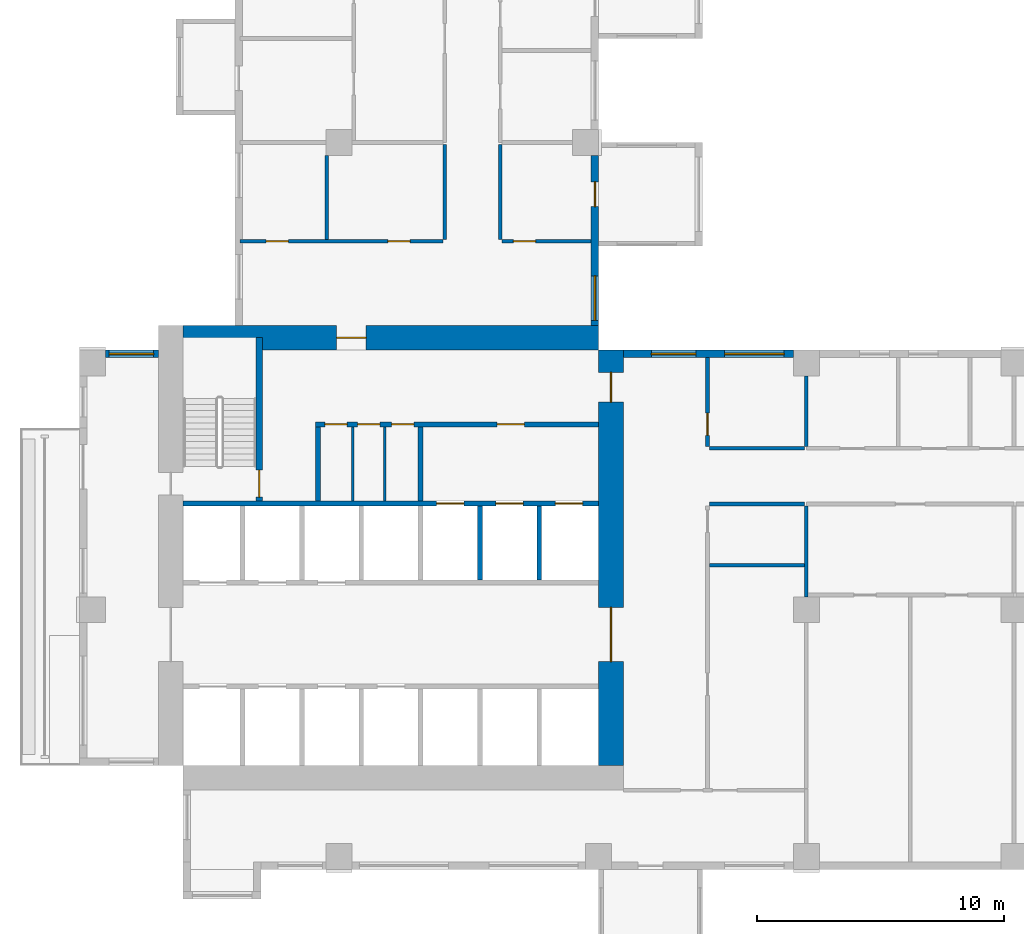
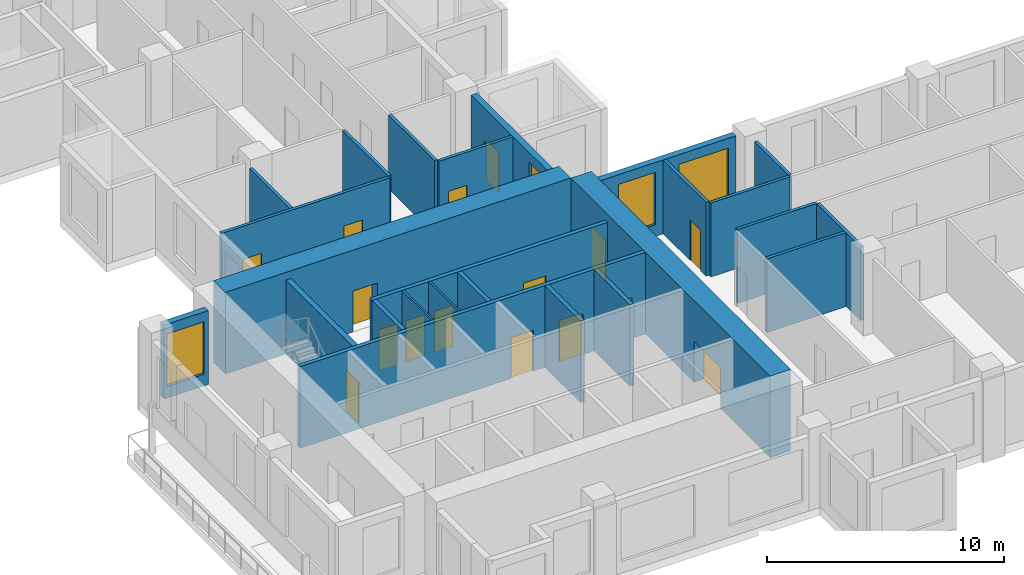
# One storey, part 3 of 14: 25 walls, 16 doors, 4 windows, 20 openings.
"""IFC4 building model written with IfcOpenShell, lengths in metres."""

from ifc_helpers import new_model, si_unit, direction, frame, frame_2d, origin, place, context, subcontext, project, spatial, rectangle, extrude, source, transform, mapped, material, layer, layer_set, type_object, element, fill, save


model = new_model("IFC4")

# Units and contexts
model_context = context("Model", 3, precision=1e-05, world=origin(), true_north=direction((0.0, 1.0)))
body_context = subcontext(model_context, "Body", "Model", "MODEL_VIEW")
ifc_project = project(units=[si_unit("LENGTHUNIT", "METRE"), si_unit("AREAUNIT", "SQUARE_METRE"), si_unit("VOLUMEUNIT", "CUBIC_METRE"), si_unit("PLANEANGLEUNIT", "RADIAN"), si_unit("MASSUNIT", "GRAM", prefix="KILO")], contexts=[model_context])

# Site, building, storey
site_placement = place(None, origin())
site = spatial("IfcSite", under=ifc_project, at=site_placement, CompositionType="ELEMENT")
building_placement = place(site_placement, origin())
building = spatial("IfcBuilding", under=site, at=building_placement, Name="Aurelian Terraces", CompositionType="ELEMENT")
storey_placement = place(building_placement, frame((0.0, 0.0, 111.9)))
storey = spatial("IfcBuildingStorey", under=building, at=storey_placement, Name="L24", CompositionType="ELEMENT", Elevation=111.9)

# Wall, openings, doors
ifc_material_1 = material(Name="Concrete fc' 83 MPa", Category="concrete")
ifc_layer_1 = layer(ifc_material_1, 1.0)
ifc_layer_set_1 = layer_set([ifc_layer_1], Name="CORE WALL 1000 FC83")
wall_type_1 = type_object("IfcWallType", Name="CORE WALL 1000 FC83", PredefinedType="SHEAR", material=ifc_layer_set_1)
shared_shape_1 = source(origin(), body_context, "Body", "SweptSolid", [
    extrude(rectangle(XDim=16.8, YDim=1.0, at=frame_2d((8.4, 0.0))), origin(), (0.0, 0.0, 1.0), 4.2),
])
wall_1_placement = place(storey_placement, frame((21.5, 4.2, 0.0), z_axis=(0.0, 0.0, 1.0), x_axis=(0.0, 1.0, 0.0)))
wall_1 = element("IfcWall", 1, at=wall_1_placement, inside=storey, type_object=wall_type_1, Name="Core wall E L24", PredefinedType="SHEAR", context=body_context, shape_type="MappedRepresentation", body=[
    mapped(shared_shape_1, transform((0.0, 0.0, 0.0), scale=1.0)),
])
shared_shape_2 = source(origin(), body_context, "Body", "SweptSolid", [
    extrude(rectangle(XDim=2.2, YDim=2.1, at=frame_2d((1.1, 1.05))), frame((0.0, 0.51, 0.0), z_axis=(0.0, -1.0, 0.0), x_axis=(1.0, 0.0, 0.0)), (0.0, 0.0, 1.0), 1.02),
])
opening_1_placement = place(wall_1_placement, frame((4.2, 0.0, 0.0)))
opening_1 = element("IfcOpeningElement", 2, at=opening_1_placement, cuts=wall_1, Name="Opening 62721", PredefinedType="OPENING", context=body_context, shape_type="MappedRepresentation", body=[
    mapped(shared_shape_2, transform((0.0, 0.0, 0.0), scale=1.0)),
])
shared_shape_3 = source(origin(), body_context, "Body", "SweptSolid", [
    extrude(rectangle(XDim=1.2, YDim=2.1, at=frame_2d((0.6, 1.05))), frame((0.0, 0.51, 0.0), z_axis=(0.0, -1.0, 0.0), x_axis=(1.0, 0.0, 0.0)), (0.0, 0.0, 1.0), 1.02),
])
opening_2_placement = place(wall_1_placement, frame((14.7, 0.0, 0.0)))
opening_2 = element("IfcOpeningElement", 3, at=opening_2_placement, cuts=wall_1, Name="Opening 62724", PredefinedType="OPENING", context=body_context, shape_type="MappedRepresentation", body=[
    mapped(shared_shape_3, transform((0.0, 0.0, 0.0), scale=1.0)),
])
ifc_material_2 = material(Name="Steel door leaf", Category="steel")
door_type_1 = type_object("IfcDoorType", Name="Core fire door 1200x2100", OperationType="SINGLE_SWING_LEFT", PredefinedType="DOOR", material=ifc_material_2)
shared_shape_4 = source(origin(), body_context, "Body", "SweptSolid", [
    extrude(rectangle(XDim=1.2, YDim=2.1, at=frame_2d((0.6, 1.05))), frame((0.0, 0.025, 0.0), z_axis=(0.0, -1.0, 0.0), x_axis=(1.0, 0.0, 0.0)), (0.0, 0.0, 1.0), 0.05),
])
door_1_placement = place(opening_2_placement, origin())
door_1 = element("IfcDoor", 4, at=door_1_placement, inside=storey, type_object=door_type_1, Name="Core door 62724", OperationType="SINGLE_SWING_LEFT", OverallHeight=2.1, OverallWidth=1.2, PredefinedType="DOOR", context=body_context, shape_type="MappedRepresentation", body=[
    mapped(shared_shape_4, transform((0.0, 0.0, 0.0), scale=1.0)),
])
fill(opening_2, door_1)
door_type_2 = type_object("IfcDoorType", Name="Core double door 2200x2100", OperationType="DOUBLE_DOOR_SINGLE_SWING", PredefinedType="DOOR", material=ifc_material_2)
shared_shape_5 = source(origin(), body_context, "Body", "SweptSolid", [
    extrude(rectangle(XDim=2.2, YDim=2.1, at=frame_2d((1.1, 1.05))), frame((0.0, 0.025, 0.0), z_axis=(0.0, -1.0, 0.0), x_axis=(1.0, 0.0, 0.0)), (0.0, 0.0, 1.0), 0.05),
])
door_2_placement = place(opening_1_placement, origin())
door_2 = element("IfcDoor", 5, at=door_2_placement, inside=storey, type_object=door_type_2, Name="Core door 62721", OperationType="DOUBLE_DOOR_SINGLE_SWING", OverallHeight=2.1, OverallWidth=2.2, PredefinedType="DOOR", context=body_context, shape_type="MappedRepresentation", body=[
    mapped(shared_shape_5, transform((0.0, 0.0, 0.0), scale=1.0)),
])
fill(opening_1, door_2)

# Wall, opening, door
wall_2_placement = place(storey_placement, frame((4.2, 21.5, 0.0), z_axis=(0.0, 0.0, 1.0), x_axis=(1.0, 0.0, 0.0)))
wall_2 = element("IfcWall", 6, at=wall_2_placement, inside=storey, type_object=wall_type_1, Name="Core wall N L24", PredefinedType="SHEAR", context=body_context, shape_type="MappedRepresentation", body=[
    mapped(shared_shape_1, transform((0.0, 0.0, 0.0), scale=1.0)),
])
opening_3_placement = place(wall_2_placement, frame((6.2, 0.0, 0.0)))
opening_3 = element("IfcOpeningElement", 7, at=opening_3_placement, cuts=wall_2, Name="Opening 62723", PredefinedType="OPENING", context=body_context, shape_type="MappedRepresentation", body=[
    mapped(shared_shape_3, transform((0.0, 0.0, 0.0), scale=1.0)),
])
door_type_3 = type_object("IfcDoorType", Name="Core fire door 1200x2100 right", OperationType="SINGLE_SWING_RIGHT", PredefinedType="DOOR", material=ifc_material_2)
door_3_placement = place(opening_3_placement, origin())
door_3 = element("IfcDoor", 8, at=door_3_placement, inside=storey, type_object=door_type_3, Name="Core door 62723", OperationType="SINGLE_SWING_RIGHT", OverallHeight=2.1, OverallWidth=1.2, PredefinedType="DOOR", context=body_context, shape_type="MappedRepresentation", body=[
    mapped(shared_shape_4, transform((0.0, 0.0, 0.0), scale=1.0)),
])
fill(opening_3, door_3)

# Wall, openings, windows
ifc_material_3 = material(Name="Terracotta rainscreen cladding", Category="masonry")
ifc_layer_2 = layer(ifc_material_3, 0.3)
ifc_layer_set_2 = layer_set([ifc_layer_2], Name="EW-300")
wall_type_2 = type_object("IfcWallType", Name="EW-300", PredefinedType="STANDARD", material=ifc_layer_set_2)
shared_shape_6 = source(origin(), body_context, "Body", "SweptSolid", [
    extrude(rectangle(XDim=6.875, YDim=0.3, at=frame_2d((3.4375, 0.0))), origin(), (0.0, 0.0, 1.0), 3.8),
])
wall_3_placement = place(storey_placement, frame((28.875, 20.85, 0.0), z_axis=(0.0, 0.0, 1.0), x_axis=(-1.0, 0.0, 0.0)))
wall_3 = element("IfcWall", 9, at=wall_3_placement, inside=storey, type_object=wall_type_2, Name="External wall L24 F07.20", PredefinedType="STANDARD", context=body_context, shape_type="MappedRepresentation", body=[
    mapped(shared_shape_6, transform((0.0, 0.0, 0.0), scale=1.0)),
])
shared_shape_7 = source(origin(), body_context, "Body", "SweptSolid", [
    extrude(rectangle(XDim=2.4, YDim=2.7, at=frame_2d((1.2, 1.35))), frame((0.0, 0.16, 0.0), z_axis=(0.0, -1.0, 0.0), x_axis=(1.0, 0.0, 0.0)), (0.0, 0.0, 1.0), 0.32),
])
opening_4_placement = place(wall_3_placement, frame((0.375, 0.0, 0.6)))
opening_4 = element("IfcOpeningElement", 10, at=opening_4_placement, cuts=wall_3, Name="Opening W2427", PredefinedType="OPENING", context=body_context, shape_type="MappedRepresentation", body=[
    mapped(shared_shape_7, transform((0.0, 0.0, 0.0), scale=1.0)),
])
shared_shape_8 = source(origin(), body_context, "Body", "SweptSolid", [
    extrude(rectangle(XDim=1.8, YDim=2.7, at=frame_2d((0.9, 1.35))), frame((0.0, 0.16, 0.0), z_axis=(0.0, -1.0, 0.0), x_axis=(1.0, 0.0, 0.0)), (0.0, 0.0, 1.0), 0.32),
])
opening_5_placement = place(wall_3_placement, frame((3.9375, 0.0, 0.6)))
opening_5 = element("IfcOpeningElement", 11, at=opening_5_placement, cuts=wall_3, Name="Opening W1827", PredefinedType="OPENING", context=body_context, shape_type="MappedRepresentation", body=[
    mapped(shared_shape_8, transform((0.0, 0.0, 0.0), scale=1.0)),
])
ifc_material_4 = material(Name="Clear glazing", Category="glass")
window_type_1 = type_object("IfcWindowType", Name="W-2400x2700", PartitioningType="SINGLE_PANEL", PredefinedType="WINDOW", material=ifc_material_4)
shared_shape_9 = source(origin(), body_context, "Body", "SweptSolid", [
    extrude(rectangle(XDim=2.4, YDim=2.7, at=frame_2d((1.2, 1.35))), frame((0.0, 0.03, 0.0), z_axis=(0.0, -1.0, 0.0), x_axis=(1.0, 0.0, 0.0)), (0.0, 0.0, 1.0), 0.06),
])
window_1_placement = place(opening_4_placement, origin())
window_1 = element("IfcWindow", 12, at=window_1_placement, inside=storey, type_object=window_type_1, Name="Window L24 L24-F07-20-3", OverallHeight=2.7, OverallWidth=2.4, PartitioningType="SINGLE_PANEL", PredefinedType="WINDOW", context=body_context, shape_type="MappedRepresentation", body=[
    mapped(shared_shape_9, transform((0.0, 0.0, 0.0), scale=1.0)),
])
fill(opening_4, window_1)
window_type_2 = type_object("IfcWindowType", Name="W-1800x2700", PartitioningType="SINGLE_PANEL", PredefinedType="WINDOW", material=ifc_material_4)
shared_shape_10 = source(origin(), body_context, "Body", "SweptSolid", [
    extrude(rectangle(XDim=1.8, YDim=2.7, at=frame_2d((0.9, 1.35))), frame((0.0, 0.03, 0.0), z_axis=(0.0, -1.0, 0.0), x_axis=(1.0, 0.0, 0.0)), (0.0, 0.0, 1.0), 0.06),
])
window_2_placement = place(opening_5_placement, origin())
window_2 = element("IfcWindow", 13, at=window_2_placement, inside=storey, type_object=window_type_2, Name="Window L24 L24-F07-20-G2-201", OverallHeight=2.7, OverallWidth=1.8, PartitioningType="SINGLE_PANEL", PredefinedType="WINDOW", context=body_context, shape_type="MappedRepresentation", body=[
    mapped(shared_shape_10, transform((0.0, 0.0, 0.0), scale=1.0)),
])
fill(opening_5, window_2)

# Wall, openings, window, door
wall_4_placement = place(storey_placement, frame((20.85, 22.0, 0.0), z_axis=(0.0, 0.0, 1.0), x_axis=(0.0, 1.0, 0.0)))
wall_4 = element("IfcWall", 14, at=wall_4_placement, inside=storey, type_object=wall_type_2, Name="External wall L24 F08.21", PredefinedType="STANDARD", context=body_context, shape_type="MappedRepresentation", body=[
    mapped(shared_shape_6, transform((0.0, 0.0, 0.0), scale=1.0)),
])
opening_6_placement = place(wall_4_placement, frame((0.2, 0.0, 0.6)))
opening_6 = element("IfcOpeningElement", 15, at=opening_6_placement, cuts=wall_4, Name="Opening W1827", PredefinedType="OPENING", context=body_context, shape_type="MappedRepresentation", body=[
    mapped(shared_shape_8, transform((0.0, 0.0, 0.0), scale=1.0)),
])
shared_shape_11 = source(origin(), body_context, "Body", "SweptSolid", [
    extrude(rectangle(XDim=1.0, YDim=2.1, at=frame_2d((0.5, 1.05))), frame((0.0, 0.16, 0.0), z_axis=(0.0, -1.0, 0.0), x_axis=(1.0, 0.0, 0.0)), (0.0, 0.0, 1.0), 0.32),
])
opening_7_placement = place(wall_4_placement, frame((4.8, 0.0, 0.0)))
opening_7 = element("IfcOpeningElement", 16, at=opening_7_placement, cuts=wall_4, Name="Opening 824002", PredefinedType="OPENING", context=body_context, shape_type="MappedRepresentation", body=[
    mapped(shared_shape_11, transform((0.0, 0.0, 0.0), scale=1.0)),
])
window_3_placement = place(opening_6_placement, origin())
window_3 = element("IfcWindow", 17, at=window_3_placement, inside=storey, type_object=window_type_2, Name="Window L24 L24-F08-21-0", OverallHeight=2.7, OverallWidth=1.8, PartitioningType="SINGLE_PANEL", PredefinedType="WINDOW", context=body_context, shape_type="MappedRepresentation", body=[
    mapped(shared_shape_10, transform((0.0, 0.0, 0.0), scale=1.0)),
])
fill(opening_6, window_3)
ifc_material_5 = material(Name="Timber door leaf", Category="wood")
door_type_4 = type_object("IfcDoorType", Name="Room door 1000x2100 left", OperationType="SINGLE_SWING_LEFT", PredefinedType="DOOR", material=ifc_material_5)
shared_shape_12 = source(origin(), body_context, "Body", "SweptSolid", [
    extrude(rectangle(XDim=1.0, YDim=2.1, at=frame_2d((0.5, 1.05))), frame((0.0, 0.025, 0.0), z_axis=(0.0, -1.0, 0.0), x_axis=(1.0, 0.0, 0.0)), (0.0, 0.0, 1.0), 0.05),
])
door_4_placement = place(opening_7_placement, origin())
door_4 = element("IfcDoor", 18, at=door_4_placement, inside=storey, type_object=door_type_4, Name="Door 824002", OperationType="SINGLE_SWING_LEFT", OverallHeight=2.1, OverallWidth=1.0, PredefinedType="DOOR", context=body_context, shape_type="MappedRepresentation", body=[
    mapped(shared_shape_12, transform((0.0, 0.0, 0.0), scale=1.0)),
])
fill(opening_7, door_4)

# Wall, opening, window
shared_shape_13 = source(origin(), body_context, "Body", "SweptSolid", [
    extrude(rectangle(XDim=2.15, YDim=0.3, at=frame_2d((1.075, 0.0))), origin(), (0.0, 0.0, 1.0), 3.8),
])
wall_5_placement = place(storey_placement, frame((3.2, 20.85, 0.0), z_axis=(0.0, 0.0, 1.0), x_axis=(-1.0, 0.0, 0.0)))
wall_5 = element("IfcWall", 19, at=wall_5_placement, inside=storey, type_object=wall_type_2, Name="External wall L24 F19.36", PredefinedType="STANDARD", context=body_context, shape_type="MappedRepresentation", body=[
    mapped(shared_shape_13, transform((0.0, 0.0, 0.0), scale=1.0)),
])
opening_8_placement = place(wall_5_placement, frame((0.2, 0.0, 0.6)))
opening_8 = element("IfcOpeningElement", 20, at=opening_8_placement, cuts=wall_5, Name="Opening W1827", PredefinedType="OPENING", context=body_context, shape_type="MappedRepresentation", body=[
    mapped(shared_shape_8, transform((0.0, 0.0, 0.0), scale=1.0)),
])
window_4_placement = place(opening_8_placement, origin())
window_4 = element("IfcWindow", 21, at=window_4_placement, inside=storey, type_object=window_type_2, Name="Window L24 L24-F19-36-0", OverallHeight=2.7, OverallWidth=1.8, PartitioningType="SINGLE_PANEL", PredefinedType="WINDOW", context=body_context, shape_type="MappedRepresentation", body=[
    mapped(shared_shape_10, transform((0.0, 0.0, 0.0), scale=1.0)),
])
fill(opening_8, window_4)

# Walls
ifc_material_6 = material(Name="Concrete fc' 40 MPa", Category="concrete")
ifc_layer_3 = layer(ifc_material_6, 0.2)
ifc_layer_set_3 = layer_set([ifc_layer_3], Name="Lift shaft wall 200")
wall_type_3 = type_object("IfcWallType", Name="Lift shaft wall 200", PredefinedType="SOLIDWALL", material=ifc_layer_set_3)
shared_shape_14 = source(origin(), body_context, "Body", "SweptSolid", [
    extrude(rectangle(XDim=3.0, YDim=0.2, at=frame_2d((1.5, 0.0))), origin(), (0.0, 0.0, 1.0), 4.2),
])
for number, where, z_axis, x_axis, name in (
    (22, (16.2, 11.7, 0.0), (0.0, 0.0, 1.0), (0.0, 1.0, 0.0), "L24 core wall CD-B5"),
    (23, (18.6, 11.7, 0.0), (0.0, 0.0, 1.0), (0.0, 1.0, 0.0), "L24 core wall CD-B6"),
):
    element("IfcWall", number, at=place(storey_placement, frame(where, z_axis=z_axis, x_axis=x_axis)), inside=storey, type_object=wall_type_3, Name=name, PredefinedType="SOLIDWALL", context=body_context, shape_type="MappedRepresentation", body=[
        mapped(shared_shape_14, transform((0.0, 0.0, 0.0), scale=1.0)),
    ])

# Wall, openings, doors
shared_shape_15 = source(origin(), body_context, "Body", "SweptSolid", [
    extrude(rectangle(XDim=16.8, YDim=0.2, at=frame_2d((8.4, 0.0))), origin(), (0.0, 0.0, 1.0), 4.2),
])
wall_6_placement = place(storey_placement, frame((4.2, 14.8, 0.0), z_axis=(0.0, 0.0, 1.0), x_axis=(1.0, 0.0, 0.0)))
wall_6 = element("IfcWall", 24, at=wall_6_placement, inside=storey, type_object=wall_type_3, Name="L24 core wall CF-BB1", PredefinedType="SOLIDWALL", context=body_context, shape_type="MappedRepresentation", body=[
    mapped(shared_shape_15, transform((0.0, 0.0, 0.0), scale=1.0)),
])
shared_shape_16 = source(origin(), body_context, "Body", "SweptSolid", [
    extrude(rectangle(XDim=1.1, YDim=2.1, at=frame_2d((0.55, 1.05))), frame((0.0, 0.11, 0.0), z_axis=(0.0, -1.0, 0.0), x_axis=(1.0, 0.0, 0.0)), (0.0, 0.0, 1.0), 0.22),
])
opening_9_placement = place(wall_6_placement, frame((10.25, 0.0, 0.0)))
opening_9 = element("IfcOpeningElement", 25, at=opening_9_placement, cuts=wall_6, Name="Opening 62707", PredefinedType="OPENING", context=body_context, shape_type="MappedRepresentation", body=[
    mapped(shared_shape_16, transform((0.0, 0.0, 0.0), scale=1.0)),
])
opening_10_placement = place(wall_6_placement, frame((12.65, 0.0, 0.0)))
opening_10 = element("IfcOpeningElement", 26, at=opening_10_placement, cuts=wall_6, Name="Opening 62708", PredefinedType="OPENING", context=body_context, shape_type="MappedRepresentation", body=[
    mapped(shared_shape_16, transform((0.0, 0.0, 0.0), scale=1.0)),
])
opening_11_placement = place(wall_6_placement, frame((15.05, 0.0, 0.0)))
opening_11 = element("IfcOpeningElement", 27, at=opening_11_placement, cuts=wall_6, Name="Opening 62709", PredefinedType="OPENING", context=body_context, shape_type="MappedRepresentation", body=[
    mapped(shared_shape_16, transform((0.0, 0.0, 0.0), scale=1.0)),
])
ifc_material_7 = material(Name="Stainless steel", Category="steel")
door_type_5 = type_object("IfcDoorType", Name="Lift landing door 1100x2100", OperationType="SLIDING_TO_LEFT", PredefinedType="DOOR", material=ifc_material_7)
shared_shape_17 = source(origin(), body_context, "Body", "SweptSolid", [
    extrude(rectangle(XDim=1.1, YDim=2.1, at=frame_2d((0.55, 1.05))), frame((0.0, 0.025, 0.0), z_axis=(0.0, -1.0, 0.0), x_axis=(1.0, 0.0, 0.0)), (0.0, 0.0, 1.0), 0.05),
])
door_5_placement = place(opening_9_placement, origin())
door_5 = element("IfcDoor", 28, at=door_5_placement, inside=storey, type_object=door_type_5, Name="Lift landing door F1 L24", OperationType="SLIDING_TO_LEFT", OverallHeight=2.1, OverallWidth=1.1, PredefinedType="DOOR", context=body_context, shape_type="MappedRepresentation", body=[
    mapped(shared_shape_17, transform((0.0, 0.0, 0.0), scale=1.0)),
])
fill(opening_9, door_5)
door_6_placement = place(opening_10_placement, origin())
door_6 = element("IfcDoor", 29, at=door_6_placement, inside=storey, type_object=door_type_5, Name="Lift landing door F2 L24", OperationType="SLIDING_TO_LEFT", OverallHeight=2.1, OverallWidth=1.1, PredefinedType="DOOR", context=body_context, shape_type="MappedRepresentation", body=[
    mapped(shared_shape_17, transform((0.0, 0.0, 0.0), scale=1.0)),
])
fill(opening_10, door_6)
door_7_placement = place(opening_11_placement, origin())
door_7 = element("IfcDoor", 30, at=door_7_placement, inside=storey, type_object=door_type_5, Name="Lift landing door F3 L24", OperationType="SLIDING_TO_LEFT", OverallHeight=2.1, OverallWidth=1.1, PredefinedType="DOOR", context=body_context, shape_type="MappedRepresentation", body=[
    mapped(shared_shape_17, transform((0.0, 0.0, 0.0), scale=1.0)),
])
fill(opening_11, door_7)

# Walls
ifc_material_8 = material(Name="Gypsum board on steel studs", Category="steel")
ifc_layer_4 = layer(ifc_material_8, 0.2)
ifc_layer_set_4 = layer_set([ifc_layer_4], Name="Core partition 200")
wall_type_4 = type_object("IfcWallType", Name="Core partition 200", PredefinedType="PARTITIONING", material=ifc_layer_set_4)
shared_shape_18 = source(origin(), body_context, "Body", "SweptSolid", [
    extrude(rectangle(XDim=3.0, YDim=0.2, at=frame_2d((1.5, 0.0))), origin(), (0.0, 0.0, 1.0), 3.8),
])
for number, where, z_axis, x_axis, name in (
    (31, (9.65, 14.9, 0.0), (0.0, 0.0, 1.0), (0.0, 1.0, 0.0), "L24 core wall CP-VEST"),
    (32, (13.8, 14.9, 0.0), (0.0, 0.0, 1.0), (0.0, 1.0, 0.0), "L24 core wall CP-FFL"),
):
    element("IfcWall", number, at=place(storey_placement, frame(where, z_axis=z_axis, x_axis=x_axis)), inside=storey, type_object=wall_type_4, Name=name, PredefinedType="PARTITIONING", context=body_context, shape_type="MappedRepresentation", body=[
        mapped(shared_shape_18, transform((0.0, 0.0, 0.0), scale=1.0)),
    ])
ifc_layer_5 = layer(ifc_material_8, 0.1)
ifc_layer_set_5 = layer_set([ifc_layer_5], Name="Core partition 100")
wall_type_5 = type_object("IfcWallType", Name="Core partition 100", PredefinedType="PARTITIONING", material=ifc_layer_set_5)
shared_shape_19 = source(origin(), body_context, "Body", "SweptSolid", [
    extrude(rectangle(XDim=3.0, YDim=0.1, at=frame_2d((1.5, 0.0))), origin(), (0.0, 0.0, 1.0), 3.8),
])
for number, where, z_axis, x_axis, name in (
    (33, (11.05, 14.9, 0.0), (0.0, 0.0, 1.0), (0.0, 1.0, 0.0), "L24 core wall CP-SV1"),
    (34, (12.35, 14.9, 0.0), (0.0, 0.0, 1.0), (0.0, 1.0, 0.0), "L24 core wall CP-SV2"),
):
    element("IfcWall", number, at=place(storey_placement, frame(where, z_axis=z_axis, x_axis=x_axis)), inside=storey, type_object=wall_type_5, Name=name, PredefinedType="PARTITIONING", context=body_context, shape_type="MappedRepresentation", body=[
        mapped(shared_shape_19, transform((0.0, 0.0, 0.0), scale=1.0)),
    ])

# Wall, opening, door
ifc_layer_6 = layer(ifc_material_6, 0.25)
ifc_layer_set_6 = layer_set([ifc_layer_6], Name="Stair enclosure wall 250")
wall_type_6 = type_object("IfcWallType", Name="Stair enclosure wall 250", PredefinedType="SOLIDWALL", material=ifc_layer_set_6)
shared_shape_20 = source(origin(), body_context, "Body", "SweptSolid", [
    extrude(rectangle(XDim=6.6, YDim=0.25, at=frame_2d((3.3, 0.0))), origin(), (0.0, 0.0, 1.0), 3.8),
])
wall_7_placement = place(storey_placement, frame((7.275, 14.9, 0.0), z_axis=(0.0, 0.0, 1.0), x_axis=(0.0, 1.0, 0.0)))
wall_7 = element("IfcWall", 35, at=wall_7_placement, inside=storey, type_object=wall_type_6, Name="L24 core wall ST-S1-E", PredefinedType="SOLIDWALL", context=body_context, shape_type="MappedRepresentation", body=[
    mapped(shared_shape_20, transform((0.0, 0.0, 0.0), scale=1.0)),
])
shared_shape_21 = source(origin(), body_context, "Body", "SweptSolid", [
    extrude(rectangle(XDim=1.1, YDim=2.1, at=frame_2d((0.55, 1.05))), frame((0.0, 0.135, 0.0), z_axis=(0.0, -1.0, 0.0), x_axis=(1.0, 0.0, 0.0)), (0.0, 0.0, 1.0), 0.27),
])
opening_12_placement = place(wall_7_placement, frame((0.15, 0.0, 0.0)))
opening_12 = element("IfcOpeningElement", 36, at=opening_12_placement, cuts=wall_7, Name="Opening 62710", PredefinedType="OPENING", context=body_context, shape_type="MappedRepresentation", body=[
    mapped(shared_shape_21, transform((0.0, 0.0, 0.0), scale=1.0)),
])
door_type_6 = type_object("IfcDoorType", Name="Core fire door 1100x2100 right", OperationType="SINGLE_SWING_RIGHT", PredefinedType="DOOR", material=ifc_material_2)
door_8_placement = place(opening_12_placement, origin())
door_8 = element("IfcDoor", 37, at=door_8_placement, inside=storey, type_object=door_type_6, Name="Stair door 62710", OperationType="SINGLE_SWING_RIGHT", OverallHeight=2.1, OverallWidth=1.1, PredefinedType="DOOR", context=body_context, shape_type="MappedRepresentation", body=[
    mapped(shared_shape_17, transform((0.0, 0.0, 0.0), scale=1.0)),
])
fill(opening_12, door_8)

# Wall, openings, doors
shared_shape_22 = source(origin(), body_context, "Body", "SweptSolid", [
    extrude(rectangle(XDim=11.45, YDim=0.2, at=frame_2d((5.725, 0.0))), origin(), (0.0, 0.0, 1.0), 3.8),
])
wall_8_placement = place(storey_placement, frame((9.55, 18.0, 0.0), z_axis=(0.0, 0.0, 1.0), x_axis=(1.0, 0.0, 0.0)))
wall_8 = element("IfcWall", 38, at=wall_8_placement, inside=storey, type_object=wall_type_4, Name="L24 core wall CP-NORTH", PredefinedType="PARTITIONING", context=body_context, shape_type="MappedRepresentation", body=[
    mapped(shared_shape_22, transform((0.0, 0.0, 0.0), scale=1.0)),
])
shared_shape_23 = source(origin(), body_context, "Body", "SweptSolid", [
    extrude(rectangle(XDim=0.9, YDim=2.1, at=frame_2d((0.45, 1.05))), frame((0.0, 0.11, 0.0), z_axis=(0.0, -1.0, 0.0), x_axis=(1.0, 0.0, 0.0)), (0.0, 0.0, 1.0), 0.22),
])
opening_13_placement = place(wall_8_placement, frame((0.375, 0.0, 0.0)))
opening_13 = element("IfcOpeningElement", 39, at=opening_13_placement, cuts=wall_8, Name="Opening 62711", PredefinedType="OPENING", context=body_context, shape_type="MappedRepresentation", body=[
    mapped(shared_shape_23, transform((0.0, 0.0, 0.0), scale=1.0)),
])
opening_14_placement = place(wall_8_placement, frame((1.7, 0.0, 0.0)))
opening_14 = element("IfcOpeningElement", 40, at=opening_14_placement, cuts=wall_8, Name="Opening 62712", PredefinedType="OPENING", context=body_context, shape_type="MappedRepresentation", body=[
    mapped(shared_shape_23, transform((0.0, 0.0, 0.0), scale=1.0)),
])
opening_15_placement = place(wall_8_placement, frame((3.075, 0.0, 0.0)))
opening_15 = element("IfcOpeningElement", 41, at=opening_15_placement, cuts=wall_8, Name="Opening 62713", PredefinedType="OPENING", context=body_context, shape_type="MappedRepresentation", body=[
    mapped(shared_shape_23, transform((0.0, 0.0, 0.0), scale=1.0)),
])
opening_16_placement = place(wall_8_placement, frame((7.35, 0.0, 0.0)))
opening_16 = element("IfcOpeningElement", 42, at=opening_16_placement, cuts=wall_8, Name="Opening 62714", PredefinedType="OPENING", context=body_context, shape_type="MappedRepresentation", body=[
    mapped(shared_shape_16, transform((0.0, 0.0, 0.0), scale=1.0)),
])
door_type_7 = type_object("IfcDoorType", Name="Core riser door 900x2100", OperationType="SINGLE_SWING_LEFT", PredefinedType="DOOR", material=ifc_material_2)
shared_shape_24 = source(origin(), body_context, "Body", "SweptSolid", [
    extrude(rectangle(XDim=0.9, YDim=2.1, at=frame_2d((0.45, 1.05))), frame((0.0, 0.025, 0.0), z_axis=(0.0, -1.0, 0.0), x_axis=(1.0, 0.0, 0.0)), (0.0, 0.0, 1.0), 0.05),
])
door_9_placement = place(opening_13_placement, origin())
door_9 = element("IfcDoor", 43, at=door_9_placement, inside=storey, type_object=door_type_7, Name="Room door 62711", OperationType="SINGLE_SWING_LEFT", OverallHeight=2.1, OverallWidth=0.9, PredefinedType="DOOR", context=body_context, shape_type="MappedRepresentation", body=[
    mapped(shared_shape_24, transform((0.0, 0.0, 0.0), scale=1.0)),
])
fill(opening_13, door_9)
door_type_8 = type_object("IfcDoorType", Name="Core service door 900x2100 right", OperationType="SINGLE_SWING_RIGHT", PredefinedType="DOOR", material=ifc_material_2)
door_10_placement = place(opening_14_placement, origin())
door_10 = element("IfcDoor", 44, at=door_10_placement, inside=storey, type_object=door_type_8, Name="Room door 62712", OperationType="SINGLE_SWING_RIGHT", OverallHeight=2.1, OverallWidth=0.9, PredefinedType="DOOR", context=body_context, shape_type="MappedRepresentation", body=[
    mapped(shared_shape_24, transform((0.0, 0.0, 0.0), scale=1.0)),
])
fill(opening_14, door_10)
door_type_9 = type_object("IfcDoorType", Name="Core service door 900x2100", OperationType="SINGLE_SWING_LEFT", PredefinedType="DOOR", material=ifc_material_2)
door_11_placement = place(opening_15_placement, origin())
door_11 = element("IfcDoor", 45, at=door_11_placement, inside=storey, type_object=door_type_9, Name="Room door 62713", OperationType="SINGLE_SWING_LEFT", OverallHeight=2.1, OverallWidth=0.9, PredefinedType="DOOR", context=body_context, shape_type="MappedRepresentation", body=[
    mapped(shared_shape_24, transform((0.0, 0.0, 0.0), scale=1.0)),
])
fill(opening_15, door_11)
door_12_placement = place(opening_16_placement, origin())
door_12 = element("IfcDoor", 46, at=door_12_placement, inside=storey, type_object=door_type_6, Name="Ff lobby door 62714", OperationType="SINGLE_SWING_RIGHT", OverallHeight=2.1, OverallWidth=1.1, PredefinedType="DOOR", context=body_context, shape_type="MappedRepresentation", body=[
    mapped(shared_shape_17, transform((0.0, 0.0, 0.0), scale=1.0)),
])
fill(opening_16, door_12)

# Wall, opening, door
ifc_layer_7 = layer(ifc_material_8, 0.15)
ifc_layer_set_7 = layer_set([ifc_layer_7], Name="Partition 150")
wall_type_7 = type_object("IfcWallType", Name="Partition 150", PredefinedType="PARTITIONING", material=ifc_layer_set_7)
shared_shape_25 = source(origin(), body_context, "Body", "SweptSolid", [
    extrude(rectangle(XDim=3.6, YDim=0.15, at=frame_2d((1.8, 0.0))), origin(), (0.0, 0.0, 1.0), 3.8),
])
wall_9_placement = place(storey_placement, frame((25.4, 20.7, 0.0), z_axis=(0.0, 0.0, 1.0), x_axis=(0.0, -1.0, 0.0)))
wall_9 = element("IfcWall", 47, at=wall_9_placement, inside=storey, type_object=wall_type_7, Name="Partition", PredefinedType="PARTITIONING", context=body_context, shape_type="MappedRepresentation", body=[
    mapped(shared_shape_25, transform((0.0, 0.0, 0.0), scale=1.0)),
])
shared_shape_26 = source(origin(), body_context, "Body", "SweptSolid", [
    extrude(rectangle(XDim=0.9, YDim=2.1, at=frame_2d((0.45, 1.05))), frame((0.0, 0.085, 0.0), z_axis=(0.0, -1.0, 0.0), x_axis=(1.0, 0.0, 0.0)), (0.0, 0.0, 1.0), 0.17),
])
opening_17_placement = place(wall_9_placement, frame((2.25, 0.0, 0.0)))
opening_17 = element("IfcOpeningElement", 48, at=opening_17_placement, cuts=wall_9, Name="Opening 724003", PredefinedType="OPENING", context=body_context, shape_type="MappedRepresentation", body=[
    mapped(shared_shape_26, transform((0.0, 0.0, 0.0), scale=1.0)),
])
door_type_10 = type_object("IfcDoorType", Name="Room door 900x2100 right", OperationType="SINGLE_SWING_RIGHT", PredefinedType="DOOR", material=ifc_material_5)
door_13_placement = place(opening_17_placement, origin())
door_13 = element("IfcDoor", 49, at=door_13_placement, inside=storey, type_object=door_type_10, Name="Door 724003", OperationType="SINGLE_SWING_RIGHT", OverallHeight=2.1, OverallWidth=0.9, PredefinedType="DOOR", context=body_context, shape_type="MappedRepresentation", body=[
    mapped(shared_shape_24, transform((0.0, 0.0, 0.0), scale=1.0)),
])
fill(opening_17, door_13)

wall_10_placement = place(storey_placement, frame((17.1, 25.4, 0.0), z_axis=(0.0, 0.0, 1.0), x_axis=(1.0, 0.0, 0.0)))
wall_10 = element("IfcWall", 50, at=wall_10_placement, inside=storey, type_object=wall_type_7, Name="Partition", PredefinedType="PARTITIONING", context=body_context, shape_type="MappedRepresentation", body=[
    mapped(shared_shape_25, transform((0.0, 0.0, 0.0), scale=1.0)),
])
opening_18_placement = place(wall_10_placement, frame((0.45, 0.0, 0.0)))
opening_18 = element("IfcOpeningElement", 51, at=opening_18_placement, cuts=wall_10, Name="Opening 724033", PredefinedType="OPENING", context=body_context, shape_type="MappedRepresentation", body=[
    mapped(shared_shape_26, transform((0.0, 0.0, 0.0), scale=1.0)),
])
door_14_placement = place(opening_18_placement, origin())
door_14 = element("IfcDoor", 52, at=door_14_placement, inside=storey, type_object=door_type_10, Name="Door 724033", OperationType="SINGLE_SWING_RIGHT", OverallHeight=2.1, OverallWidth=0.9, PredefinedType="DOOR", context=body_context, shape_type="MappedRepresentation", body=[
    mapped(shared_shape_24, transform((0.0, 0.0, 0.0), scale=1.0)),
])
fill(opening_18, door_14)

# Walls
shared_shape_27 = source(origin(), body_context, "Body", "SweptSolid", [
    extrude(rectangle(XDim=3.85, YDim=0.15, at=frame_2d((1.925, 0.0))), origin(), (0.0, 0.0, 1.0), 3.8),
])
wall_11_placement = place(storey_placement, frame((29.325, 12.3, 0.0), z_axis=(0.0, 0.0, 1.0), x_axis=(-1.0, 0.0, 0.0)))
element("IfcWall", 53, at=wall_11_placement, inside=storey, type_object=wall_type_7, Name="Partition", PredefinedType="PARTITIONING", context=body_context, shape_type="MappedRepresentation", body=[
    mapped(shared_shape_27, transform((0.0, 0.0, 0.0), scale=1.0)),
])
ifc_layer_8 = layer(ifc_material_8, 0.15)
ifc_layer_set_8 = layer_set([ifc_layer_8], Name="Fire partition 150")
wall_type_8 = type_object("IfcWallType", Name="Fire partition 150", PredefinedType="PARTITIONING", material=ifc_layer_set_8)
for number, where, z_axis, x_axis, name in (
    (54, (29.325, 14.775, 0.0), (0.0, 0.0, 1.0), (-1.0, 0.0, 0.0), "Corridor wall"),
    (55, (25.475, 17.025, 0.0), (0.0, 0.0, 1.0), (1.0, 0.0, 0.0), "Corridor wall"),
    (56, (14.775, 25.475, 0.0), (0.0, 0.0, 1.0), (0.0, 1.0, 0.0), "Corridor wall"),
    (57, (17.025, 29.325, 0.0), (0.0, 0.0, 1.0), (0.0, -1.0, 0.0), "Corridor wall"),
):
    element("IfcWall", number, at=place(storey_placement, frame(where, z_axis=z_axis, x_axis=x_axis)), inside=storey, type_object=wall_type_8, Name=name, PredefinedType="PARTITIONING", context=body_context, shape_type="MappedRepresentation", body=[
        mapped(shared_shape_27, transform((0.0, 0.0, 0.0), scale=1.0)),
    ])
shared_shape_28 = source(origin(), body_context, "Body", "SweptSolid", [
    extrude(rectangle(XDim=2.851, YDim=0.15, at=frame_2d((1.4255, 0.0))), origin(), (0.0, 0.0, 1.0), 3.8),
])
wall_12_placement = place(storey_placement, frame((29.4, 17.1, 0.0), z_axis=(0.0, 0.0, 1.0), x_axis=(0.0, 1.0, 0.0)))
element("IfcWall", 58, at=wall_12_placement, inside=storey, type_object=wall_type_7, Name="Partition", PredefinedType="PARTITIONING", context=body_context, shape_type="MappedRepresentation", body=[
    mapped(shared_shape_28, transform((0.0, 0.0, 0.0), scale=1.0)),
])
shared_shape_29 = source(origin(), body_context, "Body", "SweptSolid", [
    extrude(rectangle(XDim=3.676, YDim=0.15, at=frame_2d((1.838, 0.0))), origin(), (0.0, 0.0, 1.0), 3.8),
])
wall_13_placement = place(storey_placement, frame((29.4, 11.024, 0.0), z_axis=(0.0, 0.0, 1.0), x_axis=(0.0, 1.0, 0.0)))
element("IfcWall", 59, at=wall_13_placement, inside=storey, type_object=wall_type_7, Name="Partition", PredefinedType="PARTITIONING", context=body_context, shape_type="MappedRepresentation", body=[
    mapped(shared_shape_29, transform((0.0, 0.0, 0.0), scale=1.0)),
])

# Wall, openings, doors
shared_shape_30 = source(origin(), body_context, "Body", "SweptSolid", [
    extrude(rectangle(XDim=8.195, YDim=0.15, at=frame_2d((4.0975, 0.0))), origin(), (0.0, 0.0, 1.0), 3.8),
])
wall_14_placement = place(storey_placement, frame((6.505, 25.4, 0.0), z_axis=(0.0, 0.0, 1.0), x_axis=(1.0, 0.0, 0.0)))
wall_14 = element("IfcWall", 60, at=wall_14_placement, inside=storey, type_object=wall_type_7, Name="Partition", PredefinedType="PARTITIONING", context=body_context, shape_type="MappedRepresentation", body=[
    mapped(shared_shape_30, transform((0.0, 0.0, 0.0), scale=1.0)),
])
opening_19_placement = place(wall_14_placement, frame((1.045, 0.0, 0.0)))
opening_19 = element("IfcOpeningElement", 61, at=opening_19_placement, cuts=wall_14, Name="Opening 724031", PredefinedType="OPENING", context=body_context, shape_type="MappedRepresentation", body=[
    mapped(shared_shape_26, transform((0.0, 0.0, 0.0), scale=1.0)),
])
opening_20_placement = place(wall_14_placement, frame((5.97, 0.0, 0.0)))
opening_20 = element("IfcOpeningElement", 62, at=opening_20_placement, cuts=wall_14, Name="Opening 724032", PredefinedType="OPENING", context=body_context, shape_type="MappedRepresentation", body=[
    mapped(shared_shape_26, transform((0.0, 0.0, 0.0), scale=1.0)),
])
door_15_placement = place(opening_19_placement, origin())
door_15 = element("IfcDoor", 63, at=door_15_placement, inside=storey, type_object=door_type_10, Name="Door 724031", OperationType="SINGLE_SWING_RIGHT", OverallHeight=2.1, OverallWidth=0.9, PredefinedType="DOOR", context=body_context, shape_type="MappedRepresentation", body=[
    mapped(shared_shape_24, transform((0.0, 0.0, 0.0), scale=1.0)),
])
fill(opening_19, door_15)
door_type_11 = type_object("IfcDoorType", Name="Room door 900x2100 left", OperationType="SINGLE_SWING_LEFT", PredefinedType="DOOR", material=ifc_material_5)
door_16_placement = place(opening_20_placement, origin())
door_16 = element("IfcDoor", 64, at=door_16_placement, inside=storey, type_object=door_type_11, Name="Door 724032", OperationType="SINGLE_SWING_LEFT", OverallHeight=2.1, OverallWidth=0.9, PredefinedType="DOOR", context=body_context, shape_type="MappedRepresentation", body=[
    mapped(shared_shape_24, transform((0.0, 0.0, 0.0), scale=1.0)),
])
fill(opening_20, door_16)

# Wall
shared_shape_31 = source(origin(), body_context, "Body", "SweptSolid", [
    extrude(rectangle(XDim=3.401, YDim=0.15, at=frame_2d((1.7005, 0.0))), origin(), (0.0, 0.0, 1.0), 3.8),
])
wall_15_placement = place(storey_placement, frame((10.0, 25.475, 0.0), z_axis=(0.0, 0.0, 1.0), x_axis=(0.0, 1.0, 0.0)))
element("IfcWall", 65, at=wall_15_placement, inside=storey, type_object=wall_type_7, Name="Partition", PredefinedType="PARTITIONING", context=body_context, shape_type="MappedRepresentation", body=[
    mapped(shared_shape_31, transform((0.0, 0.0, 0.0), scale=1.0)),
])

save(model, "model.ifc")
